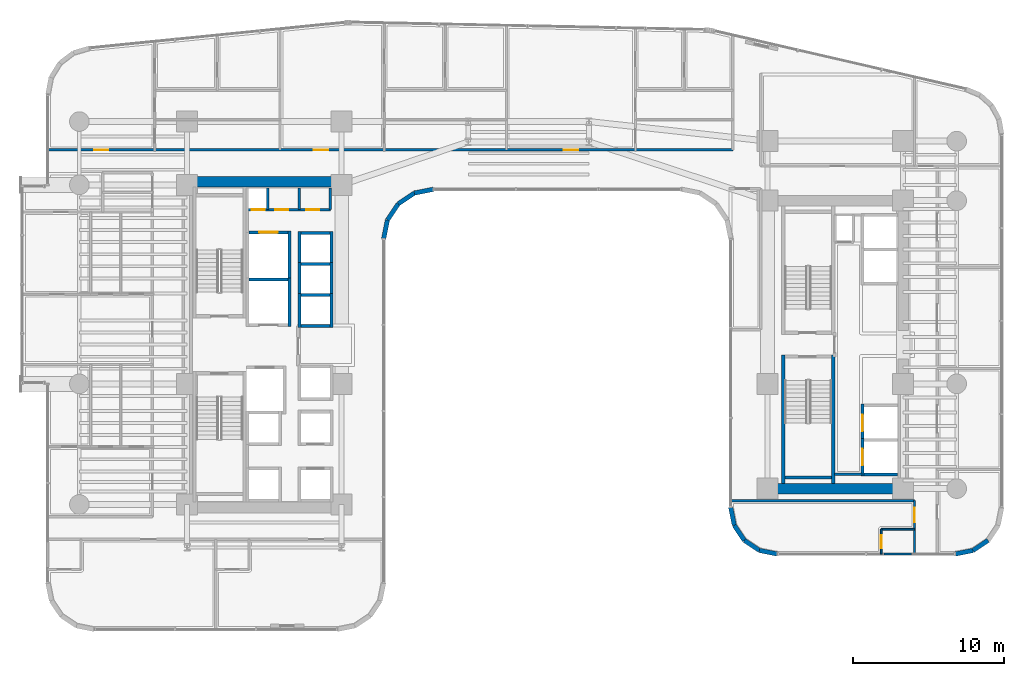
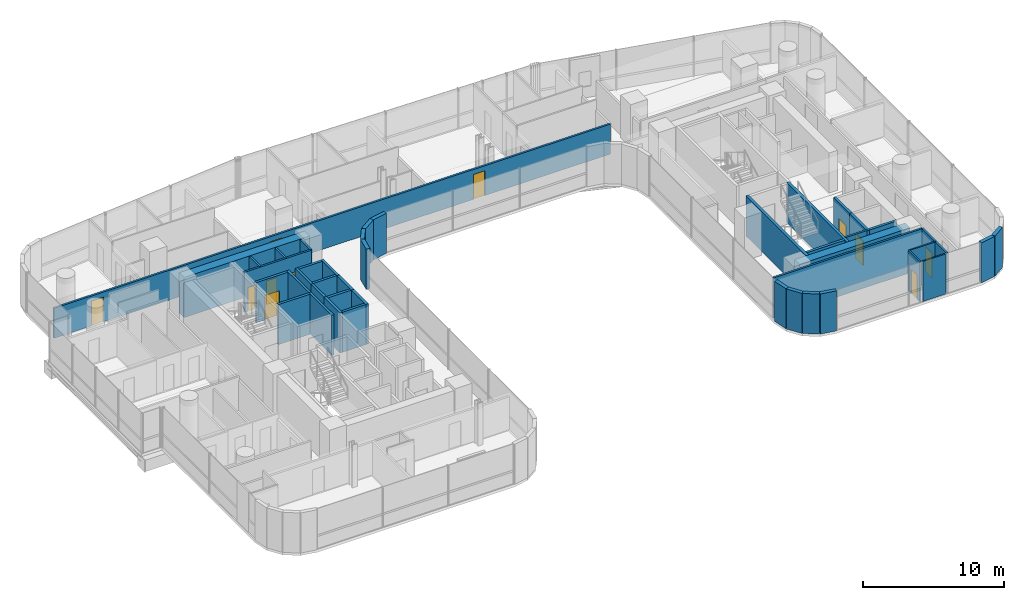
# One storey, part 31 of 40: 43 walls, 11 doors, 11 openings.
"""IFC4 building model written with IfcOpenShell, lengths in metres."""

import ifcopenshell
import ifcopenshell.guid

model = None  # the IFC model being written
_history = None  # IfcOwnerHistory: only IFC2X3 demands one
_inside = {}  # id of a spatial element -> (the spatial element, [elements in it])
_under = {}  # id of a project, library or spatial element -> (it, [spatial elements below it])
_declared = {}  # id of a project -> (the project, [libraries it declares])
_typed = {}  # id of a type object -> (the type object, [elements of that type])
_made_of = {}  # id of a material, layer set ... -> (it, [elements and type objects made of it])


def new_model(schema):
    """Start an empty IFC model of exactly this schema.

    Asked for "IFC4X3", IfcOpenShell would pick the latest addendum, in which some entities
    have other attributes; the version numbers below select the first issue.
    IFC2X3 requires an IfcOwnerHistory on every rooted entity: one is made here for all.
    """
    global model, _history
    if schema == "IFC4X3":
        model = ifcopenshell.file(schema_version=(4, 3, 0, 0))
    else:
        model = ifcopenshell.file(schema=schema)
    _inside.clear()
    _under.clear()
    _declared.clear()
    _typed.clear()
    _made_of.clear()
    _history = None
    if model.schema == "IFC2X3":
        org = make("IfcOrganization", Name="unknown")
        user = make(
            "IfcPersonAndOrganization",
            ThePerson=make("IfcPerson", FamilyName="unknown"),
            TheOrganization=org,
        )
        app = make(
            "IfcApplication",
            ApplicationDeveloper=org,
            Version="unknown",
            ApplicationFullName="unknown",
            ApplicationIdentifier="unknown",
        )
        _history = make(
            "IfcOwnerHistory",
            OwningUser=user,
            OwningApplication=app,
            ChangeAction="ADDED",
            CreationDate=0,
        )
    return model


def make(cls, **values):
    """One entity of the class cls with the attributes given. An attribute that is None is left unset."""
    return model.create_entity(
        cls, **{name: value for name, value in values.items() if value is not None}
    )


def rooted(cls, **values):
    """An entity with a GlobalId (a new one), such as an element, a storey or a relation."""
    return make(cls, GlobalId=ifcopenshell.guid.new(), OwnerHistory=_history, **values)


def si_unit(unit_type, name, prefix=None):
    """IfcSIUnit, for example si_unit("LENGTHUNIT", "METRE", prefix="MILLI")."""
    return make("IfcSIUnit", UnitType=unit_type, Prefix=prefix, Name=name)


def assignment(units):
    """IfcUnitAssignment: the units of a project."""
    return None if units is None else make("IfcUnitAssignment", Units=units)


def point(xyz):
    """IfcCartesianPoint."""
    return None if xyz is None else make("IfcCartesianPoint", Coordinates=xyz)


def direction(xyz):
    """IfcDirection."""
    return None if xyz is None else make("IfcDirection", DirectionRatios=xyz)


def frame(location, z_axis=None, x_axis=None):
    """IfcAxis2Placement3D, a coordinate frame: its origin and axes. An axis left out is left unset."""
    return make(
        "IfcAxis2Placement3D",
        Location=point(location),
        Axis=direction(z_axis),
        RefDirection=direction(x_axis),
    )


def frame_2d(location, x_axis=None):
    """IfcAxis2Placement2D, a coordinate frame in the plane: its origin and x axis."""
    return make(
        "IfcAxis2Placement2D", Location=point(location), RefDirection=direction(x_axis)
    )


def origin():
    """The frame at (0, 0, 0) with its axes left unset."""
    return frame((0.0, 0.0, 0.0))


def place(relative_to, where):
    """IfcLocalPlacement: puts the frame where relative to a parent placement (None: the world)."""
    return make(
        "IfcLocalPlacement", PlacementRelTo=relative_to, RelativePlacement=where
    )


def context(
    kind, dimensions, precision=None, world=None, true_north=None, identifier=None
):
    """IfcGeometricRepresentationContext, for example the 3D "Model" context."""
    return make(
        "IfcGeometricRepresentationContext",
        ContextIdentifier=identifier,
        ContextType=kind,
        CoordinateSpaceDimension=dimensions,
        Precision=precision,
        WorldCoordinateSystem=world,
        TrueNorth=true_north,
    )


def subcontext(parent, identifier, kind, view, scale=None):
    """IfcGeometricRepresentationSubContext, for example "Body" below "Model"."""
    return make(
        "IfcGeometricRepresentationSubContext",
        ContextIdentifier=identifier,
        ContextType=kind,
        ParentContext=parent,
        TargetScale=scale,
        TargetView=view,
    )


def project(units=None, contexts=None):
    """IfcProject with its units and contexts."""
    return rooted(
        "IfcProject",
        Name="project",
        RepresentationContexts=contexts,
        UnitsInContext=assignment(units),
    )


def spatial(cls, under=None, at=None, **own):
    """A site, building, storey or space (cls), placed at a placement, below another one or the project."""
    s = rooted(cls, ObjectPlacement=at, **own)
    if under is not None:
        _under.setdefault(under.id(), (under, []))[1].append(s)
    return s


def profile(cls, at=None, kind="AREA", **sizes):
    """A parametric profile (cls). Its sizes go by their IFC names, for example OverallWidth=200.0."""
    return make(cls, ProfileType=kind, Position=at, **sizes)


def rectangle(**sizes):
    """IfcRectangleProfileDef."""
    return profile("IfcRectangleProfileDef", **sizes)


def extrude(swept, where, along, depth):
    """IfcExtrudedAreaSolid: the profile swept, set in the frame where, extruded along a direction by depth."""
    return make(
        "IfcExtrudedAreaSolid",
        SweptArea=swept,
        Position=where,
        ExtrudedDirection=direction(along),
        Depth=depth,
    )


def shape(context_of_items, identifier, shape_type, items):
    """IfcShapeRepresentation: the items that make up one representation, for example the "Body"."""
    return make(
        "IfcShapeRepresentation",
        ContextOfItems=context_of_items,
        RepresentationIdentifier=identifier,
        RepresentationType=shape_type,
        Items=items,
    )


def material(Name=None, Category=None):
    """IfcMaterial."""
    return make("IfcMaterial", Name=Name, Category=Category)


def layer(
    of_material, thickness, ventilated=None, Name=None, Category=None, Priority=None
):
    """IfcMaterialLayer: one layer of a wall or slab, of a material (None: an air gap)."""
    return make(
        "IfcMaterialLayer",
        Material=of_material,
        LayerThickness=thickness,
        IsVentilated=ventilated,
        Name=Name,
        Category=Category,
        Priority=Priority,
    )


def layer_set(layers, Name=None):
    """IfcMaterialLayerSet."""
    return make("IfcMaterialLayerSet", MaterialLayers=layers, LayerSetName=Name)


def made_of(thing, what):
    """Note that an element or type object is made of a material, layer set ...; save() writes the relation."""
    if what is not None:
        _made_of.setdefault(what.id(), (what, []))[1].append(thing)
    return thing


def type_object(cls, material=None, **own):
    """A type object (cls), such as IfcWallType, which elements share."""
    return made_of(rooted(cls, **own), material)


def element(
    cls,
    number,
    at=None,
    inside=None,
    cuts=None,
    type_object=None,
    material=None,
    context=None,
    identifier="Body",
    shape_type=None,
    held_by="IfcProductDefinitionShape",
    body=None,
    shapes=None,
    **own,
):
    """One element of the class cls, such as IfcWall. Its Tag is "e" and its number.

    at: its placement. inside: the storey or other place that contains it. cuts: it is an
    opening in that element (IfcRelVoidsElement). A single representation is given by context,
    identifier, shape_type and body (its items); several are given by shapes. held_by: the class
    of the entity that holds the representations. save() writes the other relations.
    """
    e = rooted(cls, Tag="e%d" % number, ObjectPlacement=at, **own)
    if body is not None:
        shapes = [shape(context, identifier, shape_type, body)]
    if shapes is not None:
        e.Representation = make(held_by, Representations=shapes)
    if inside is not None:
        _inside.setdefault(inside.id(), (inside, []))[1].append(e)
    if cuts is not None:
        rooted(
            "IfcRelVoidsElement", RelatingBuildingElement=cuts, RelatedOpeningElement=e
        )
    if type_object is not None:
        _typed.setdefault(type_object.id(), (type_object, []))[1].append(e)
    return made_of(e, material)


def fill(opening, filler):
    """IfcRelFillsElement: the door or window that sits in an opening."""
    return rooted(
        "IfcRelFillsElement",
        RelatingOpeningElement=opening,
        RelatedBuildingElement=filler,
    )


def aggregate(whole, parts):
    """IfcRelAggregates: a whole, such as a stair, and the parts it consists of."""
    return rooted("IfcRelAggregates", RelatingObject=whole, RelatedObjects=parts)


def save(model, path):
    """Write the relations noted so far, then the file.

    IfcRelAggregates (storeys below a building ...), IfcRelContainedInSpatialStructure (elements
    in a storey), IfcRelDefinesByType, IfcRelAssociatesMaterial and IfcRelDeclares: one each for
    every whole, place, type object, material and project.
    """
    for whole, parts in _under.values():
        aggregate(whole, parts)
    for where, things in _inside.values():
        rooted(
            "IfcRelContainedInSpatialStructure",
            RelatedElements=things,
            RelatingStructure=where,
        )
    for kind, things in _typed.values():
        rooted("IfcRelDefinesByType", RelatedObjects=things, RelatingType=kind)
    for what, things in _made_of.values():
        rooted("IfcRelAssociatesMaterial", RelatedObjects=things, RelatingMaterial=what)
    for by, libraries in _declared.values():
        rooted("IfcRelDeclares", RelatingContext=by, RelatedDefinitions=libraries)
    model.write(path)


model = new_model("IFC4")

# Units and contexts
model_context = context("Model", 3, precision=1e-05, world=origin(), true_north=direction((0.0, 1.0)))
body_context = subcontext(model_context, "Body", "Model", "MODEL_VIEW")
ifc_project = project(units=[si_unit("LENGTHUNIT", "METRE"), si_unit("AREAUNIT", "SQUARE_METRE"), si_unit("VOLUMEUNIT", "CUBIC_METRE"), si_unit("PLANEANGLEUNIT", "RADIAN"), si_unit("MASSUNIT", "GRAM", prefix="KILO")], contexts=[model_context])

# Site, building, storey
site_placement = place(None, origin())
site = spatial("IfcSite", under=ifc_project, at=site_placement, CompositionType="ELEMENT")
building_placement = place(site_placement, origin())
building = spatial("IfcBuilding", under=site, at=building_placement, Name="Valdorenza Pilgrim Sanctuary Tower", CompositionType="ELEMENT")
storey_placement = place(building_placement, frame((0.0, 0.0, 40.800048828125)))
storey = spatial("IfcBuildingStorey", under=building, at=storey_placement, Name="L09", CompositionType="ELEMENT", Elevation=40.800048828125)

# Wall, openings, doors
ifc_material_1 = material(Name="Acoustic twin-stud gypsum partition", Category="gypsum")
ifc_layer_1 = layer(ifc_material_1, 0.159912109375, Name="Acoustic twin-stud gypsum partition")
ifc_layer_set_1 = layer_set([ifc_layer_1], Name="Acoustic twin-stud gypsum partition")
wall_type_1 = type_object("IfcWallType", Name="WAL-COR-160", PredefinedType="PARTITIONING", material=ifc_layer_set_1)
wall_1_placement = place(storey_placement, frame((-18.64990234375, 8.949951171875, 0.0), z_axis=(0.0, 0.0, 1.0), x_axis=(1.0, 0.0, 0.0)))
wall_1 = element("IfcWall", 1, at=wall_1_placement, inside=storey, type_object=wall_type_1, Name="L09 Core A North Service South Wall", PredefinedType="PARTITIONING", context=body_context, shape_type="SweptSolid", body=[
    extrude(rectangle(XDim=5.5, YDim=0.159912109375, at=frame_2d((2.75, 0.0))), origin(), (0.0, 0.0, 1.0), 3.4599609375),
])
opening_1_placement = place(wall_1_placement, frame((0.300048828125, 0.0, 0.0)))
opening_1 = element("IfcOpeningElement", 2, at=opening_1_placement, cuts=wall_1, Name="Opening DR-RS1", PredefinedType="OPENING", context=body_context, shape_type="SweptSolid", body=[
    extrude(rectangle(XDim=0.85009765625, YDim=2.050048828125, at=frame_2d((0.425048828125, 1.02490234375))), frame((0.0, 0.0947265625, 0.0), z_axis=(0.0, -1.0, 0.0), x_axis=(1.0, 0.0, 0.0)), (0.0, 0.0, 1.0), 0.189697265625),
])
opening_2_placement = place(wall_1_placement, frame((1.85009765625, 0.0, 0.0)))
opening_2 = element("IfcOpeningElement", 3, at=opening_2_placement, cuts=wall_1, Name="Opening DR-RS1", PredefinedType="OPENING", context=body_context, shape_type="SweptSolid", body=[
    extrude(rectangle(XDim=0.85009765625, YDim=2.050048828125, at=frame_2d((0.425048828125, 1.02490234375))), frame((0.0, 0.0947265625, 0.0), z_axis=(0.0, -1.0, 0.0), x_axis=(1.0, 0.0, 0.0)), (0.0, 0.0, 1.0), 0.189697265625),
])
opening_3_placement = place(wall_1_placement, frame((3.89990234375, 0.0, 0.0)))
opening_3 = element("IfcOpeningElement", 4, at=opening_3_placement, cuts=wall_1, Name="Opening DR-RS1", PredefinedType="OPENING", context=body_context, shape_type="SweptSolid", body=[
    extrude(rectangle(XDim=0.85009765625, YDim=2.050048828125, at=frame_2d((0.425048828125, 1.02490234375))), frame((0.0, 0.0947265625, 0.0), z_axis=(0.0, -1.0, 0.0), x_axis=(1.0, 0.0, 0.0)), (0.0, 0.0, 1.0), 0.189697265625),
])
ifc_material_2 = material(Name="Painted galvanized steel", Category="steel")
door_type_1 = type_object("IfcDoorType", Name="DR-RSR-850", OperationType="NOTDEFINED", PredefinedType="DOOR", material=ifc_material_2)
door_1_placement = place(opening_1_placement, origin())
door_1 = element("IfcDoor", 5, at=door_1_placement, inside=storey, type_object=door_type_1, Name="L09 Core Electrical and Telecom Riser Door", OperationType="SINGLE_SWING_LEFT", OverallHeight=2.050048828125, OverallWidth=0.85009765625, PredefinedType="DOOR", context=body_context, shape_type="SweptSolid", body=[
    extrude(rectangle(XDim=0.85009765625, YDim=2.050048828125, at=frame_2d((0.425048828125, 1.02490234375))), frame((0.0, 0.02490234375, 0.0), z_axis=(0.0, -1.0, 0.0), x_axis=(1.0, 0.0, 0.0)), (0.0, 0.0, 1.0), 0.050048828125),
])
fill(opening_1, door_1)
door_2_placement = place(opening_2_placement, origin())
door_2 = element("IfcDoor", 6, at=door_2_placement, inside=storey, type_object=door_type_1, Name="L09 Housekeeping and Clean Linen Room Door", OperationType="SINGLE_SWING_RIGHT", OverallHeight=2.050048828125, OverallWidth=0.85009765625, PredefinedType="DOOR", context=body_context, shape_type="SweptSolid", body=[
    extrude(rectangle(XDim=0.85009765625, YDim=2.050048828125, at=frame_2d((0.425048828125, 1.02490234375))), frame((0.0, 0.02490234375, 0.0), z_axis=(0.0, -1.0, 0.0), x_axis=(1.0, 0.0, 0.0)), (0.0, 0.0, 1.0), 0.050048828125),
])
fill(opening_2, door_2)
door_3_placement = place(opening_3_placement, origin())
door_3 = element("IfcDoor", 7, at=door_3_placement, inside=storey, type_object=door_type_1, Name="L09 Guest Ice and Vending Pantry Door", OperationType="SINGLE_SWING_LEFT", OverallHeight=2.050048828125, OverallWidth=0.85009765625, PredefinedType="DOOR", context=body_context, shape_type="SweptSolid", body=[
    extrude(rectangle(XDim=0.85009765625, YDim=2.050048828125, at=frame_2d((0.425048828125, 1.02490234375))), frame((0.0, 0.02490234375, 0.0), z_axis=(0.0, -1.0, 0.0), x_axis=(1.0, 0.0, 0.0)), (0.0, 0.0, 1.0), 0.050048828125),
])
fill(opening_3, door_3)

# Walls
for number, where, z_axis, x_axis, name in (
    (8, (-13.14990234375, 8.949951171875, 0.0), (0.0, 0.0, 1.0), (0.0, 1.0, 0.0), "L09 Core A North Service East Wall"),
    (9, (-17.300048828125, 8.949951171875, 0.0), (0.0, 0.0, 1.0), (0.0, 1.0, 0.0), "L09 Core Electrical Riser Wall"),
    (10, (-15.199951171875, 8.949951171875, 0.0), (0.0, 0.0, 1.0), (0.0, 1.0, 0.0), "L09 Core A Housekeeping Split B"),
):
    element("IfcWall", number, at=place(storey_placement, frame(where, z_axis=z_axis, x_axis=x_axis)), inside=storey, type_object=wall_type_1, Name=name, PredefinedType="PARTITIONING", context=body_context, shape_type="SweptSolid", body=[
        extrude(rectangle(XDim=1.429931640625, YDim=0.159912109375, at=frame_2d((0.71484375, 0.0))), origin(), (0.0, 0.0, 1.0), 3.4599609375),
    ])
wall_2_placement = place(storey_placement, frame((20.300048828125, -8.60009765625, 0.0), z_axis=(0.0, 0.0, 1.0), x_axis=(1.0, 0.0, 0.0)))
element("IfcWall", 11, at=wall_2_placement, inside=storey, type_object=wall_type_1, Name="L09 Core B Lift Hall South End Wall", PredefinedType="PARTITIONING", context=body_context, shape_type="SweptSolid", body=[
    extrude(rectangle(XDim=1.820068359375, YDim=0.159912109375, at=frame_2d((0.91015625, 0.0))), origin(), (0.0, 0.0, 1.0), 3.4599609375),
])

# Wall, openings, doors
wall_3_placement = place(storey_placement, frame((-31.889892578125, 12.919921875, 0.0), z_axis=(0.0, 0.0, 1.0), x_axis=(1.0, 0.0, 0.0)))
wall_3 = element("IfcWall", 12, at=wall_3_placement, inside=storey, type_object=wall_type_1, Name="L09 North Corridor Wall", PredefinedType="PARTITIONING", context=body_context, shape_type="SweptSolid", body=[
    extrude(rectangle(XDim=45.43994140625, YDim=0.159912109375, at=frame_2d((22.719970703125, 0.0))), origin(), (0.0, 0.0, 1.0), 2.5830078125),
])
opening_4_placement = place(wall_3_placement, frame((3.069091796875, 0.0, 0.0)))
opening_4 = element("IfcOpeningElement", 13, at=opening_4_placement, cuts=wall_3, Name="Opening DR-UN1", PredefinedType="OPENING", context=body_context, shape_type="SweptSolid", body=[
    extrude(rectangle(XDim=0.949951171875, YDim=2.14990234375, at=frame_2d((0.47509765625, 1.074951171875))), frame((0.0, 0.0947265625, 0.0), z_axis=(0.0, -1.0, 0.0), x_axis=(1.0, 0.0, 0.0)), (0.0, 0.0, 1.0), 0.189697265625),
])
opening_5_placement = place(wall_3_placement, frame((17.64697265625, 0.0, 0.0)))
opening_5 = element("IfcOpeningElement", 14, at=opening_5_placement, cuts=wall_3, Name="Opening DR-UN1", PredefinedType="OPENING", context=body_context, shape_type="SweptSolid", body=[
    extrude(rectangle(XDim=0.949951171875, YDim=2.14990234375, at=frame_2d((0.47509765625, 1.074951171875))), frame((0.0, 0.0947265625, 0.0), z_axis=(0.0, -1.0, 0.0), x_axis=(1.0, 0.0, 0.0)), (0.0, 0.0, 1.0), 0.189697265625),
])
opening_6_placement = place(wall_3_placement, frame((34.22705078125, 0.0, 0.0)))
opening_6 = element("IfcOpeningElement", 15, at=opening_6_placement, cuts=wall_3, Name="Opening DR-UN1", PredefinedType="OPENING", context=body_context, shape_type="SweptSolid", body=[
    extrude(rectangle(XDim=0.949951171875, YDim=2.14990234375, at=frame_2d((0.47509765625, 1.074951171875))), frame((0.0, 0.0947265625, 0.0), z_axis=(0.0, -1.0, 0.0), x_axis=(1.0, 0.0, 0.0)), (0.0, 0.0, 1.0), 0.189697265625),
])
ifc_material_3 = material(Name="Solid-core European oak timber", Category="wood")
door_type_2 = type_object("IfcDoorType", Name="DR-UNIT-950", OperationType="NOTDEFINED", PredefinedType="DOOR", material=ifc_material_3)
door_4_placement = place(opening_4_placement, frame((0.949951171875, 0.0, 0.0), z_axis=(0.0, 0.0, 1.0), x_axis=(-1.0, 0.0, 0.0)))
door_4 = element("IfcDoor", 16, at=door_4_placement, inside=storey, type_object=door_type_2, Name="L09 North Family Flat L09-N1 Entrance Door", OperationType="SINGLE_SWING_LEFT", OverallHeight=2.14990234375, OverallWidth=0.949951171875, PredefinedType="DOOR", context=body_context, shape_type="SweptSolid", body=[
    extrude(rectangle(XDim=0.949951171875, YDim=2.14990234375, at=frame_2d((0.47509765625, 1.074951171875))), frame((0.0, 0.02490234375, 0.0), z_axis=(0.0, -1.0, 0.0), x_axis=(1.0, 0.0, 0.0)), (0.0, 0.0, 1.0), 0.050048828125),
])
fill(opening_4, door_4)
door_5_placement = place(opening_5_placement, origin())
door_5 = element("IfcDoor", 17, at=door_5_placement, inside=storey, type_object=door_type_2, Name="L09 North Family Flat L09-N2 Entrance Door", OperationType="SINGLE_SWING_RIGHT", OverallHeight=2.14990234375, OverallWidth=0.949951171875, PredefinedType="DOOR", context=body_context, shape_type="SweptSolid", body=[
    extrude(rectangle(XDim=0.949951171875, YDim=2.14990234375, at=frame_2d((0.47509765625, 1.074951171875))), frame((0.0, 0.02490234375, 0.0), z_axis=(0.0, -1.0, 0.0), x_axis=(1.0, 0.0, 0.0)), (0.0, 0.0, 1.0), 0.050048828125),
])
fill(opening_5, door_5)
door_6_placement = place(opening_6_placement, frame((0.949951171875, 0.0, 0.0), z_axis=(0.0, 0.0, 1.0), x_axis=(-1.0, 0.0, 0.0)))
door_6 = element("IfcDoor", 18, at=door_6_placement, inside=storey, type_object=door_type_2, Name="L09 North Family Flat L09-N3 Entrance Door", OperationType="SINGLE_SWING_LEFT", OverallHeight=2.14990234375, OverallWidth=0.949951171875, PredefinedType="DOOR", context=body_context, shape_type="SweptSolid", body=[
    extrude(rectangle(XDim=0.949951171875, YDim=2.14990234375, at=frame_2d((0.47509765625, 1.074951171875))), frame((0.0, 0.02490234375, 0.0), z_axis=(0.0, -1.0, 0.0), x_axis=(1.0, 0.0, 0.0)), (0.0, 0.0, 1.0), 0.050048828125),
])
fill(opening_6, door_6)

# Wall, opening, door
wall_4_placement = place(storey_placement, frame((25.60009765625, -13.889892578125, 0.0), z_axis=(0.0, 0.0, 1.0), x_axis=(0.0, 1.0, 0.0)))
wall_4 = element("IfcWall", 19, at=wall_4_placement, inside=storey, type_object=wall_type_1, Name="L09 Wing B South-East Corridor Wall", PredefinedType="PARTITIONING", context=body_context, shape_type="SweptSolid", body=[
    extrude(rectangle(XDim=3.539794921875, YDim=0.159912109375, at=frame_2d((1.77001953125, 0.0))), origin(), (0.0, 0.0, 1.0), 3.4599609375),
])
opening_7_placement = place(wall_4_placement, frame((2.1201171875, 0.0, 0.0)))
opening_7 = element("IfcOpeningElement", 20, at=opening_7_placement, cuts=wall_4, Name="Opening DR-UN1", PredefinedType="OPENING", context=body_context, shape_type="SweptSolid", body=[
    extrude(rectangle(XDim=0.949951171875, YDim=2.14990234375, at=frame_2d((0.47509765625, 1.074951171875))), frame((0.0, 0.0947265625, 0.0), z_axis=(0.0, -1.0, 0.0), x_axis=(1.0, 0.0, 0.0)), (0.0, 0.0, 1.0), 0.189697265625),
])
door_7_placement = place(opening_7_placement, frame((0.949951171875, 0.0, 0.0), z_axis=(0.0, 0.0, 1.0), x_axis=(-1.0, 0.0, 0.0)))
door_7 = element("IfcDoor", 21, at=door_7_placement, inside=storey, type_object=door_type_2, Name="L09 East South Guest Room L09-ES1 Entrance Door", OperationType="SINGLE_SWING_LEFT", OverallHeight=2.14990234375, OverallWidth=0.949951171875, PredefinedType="DOOR", context=body_context, shape_type="SweptSolid", body=[
    extrude(rectangle(XDim=0.949951171875, YDim=2.14990234375, at=frame_2d((0.47509765625, 1.074951171875))), frame((0.0, 0.02490234375, 0.0), z_axis=(0.0, -1.0, 0.0), x_axis=(1.0, 0.0, 0.0)), (0.0, 0.0, 1.0), 0.050048828125),
])
fill(opening_7, door_7)

# Walls
wall_5_placement = place(storey_placement, frame((13.409912109375, -10.35009765625, 0.0), z_axis=(0.0, 0.0, 1.0), x_axis=(1.0, 0.0, 0.0)))
element("IfcWall", 22, at=wall_5_placement, inside=storey, type_object=wall_type_1, Name="L09 Wing B South North Wall", PredefinedType="PARTITIONING", context=body_context, shape_type="SweptSolid", body=[
    extrude(rectangle(XDim=12.190185546875, YDim=0.159912109375, at=frame_2d((6.09521484375, 0.0))), origin(), (0.0, 0.0, 1.0), 3.4599609375),
])
ifc_material_4 = material(Name="Concrete C60/75", Category="concrete")
ifc_layer_2 = layer(ifc_material_4, 0.699951171875, Name="Concrete C60/75")
ifc_layer_set_2 = layer_set([ifc_layer_2], Name="Concrete C60/75")
wall_type_2 = type_object("IfcWallType", Name="WAL-COR-700", PredefinedType="SHEAR", material=ifc_layer_set_2)
wall_6_placement = place(storey_placement, frame((-22.64990234375, 10.800048828125, 0.0), z_axis=(0.0, 0.0, 1.0), x_axis=(1.0, 0.0, 0.0)))
element("IfcWall", 23, at=wall_6_placement, inside=storey, type_object=wall_type_2, Name="L09 Split Core A Shear Wall N", PredefinedType="SHEAR", context=body_context, shape_type="SweptSolid", body=[
    extrude(rectangle(XDim=10.25, YDim=0.699951171875, at=frame_2d((5.125, 0.0))), origin(), (0.0, 0.0, 1.0), 3.4599609375),
])
wall_7_placement = place(storey_placement, frame((15.85009765625, -9.550048828125, 0.0), z_axis=(0.0, 0.0, 1.0), x_axis=(1.0, 0.0, 0.0)))
element("IfcWall", 24, at=wall_7_placement, inside=storey, type_object=wall_type_2, Name="L09 Split Core B Shear Wall S", PredefinedType="SHEAR", context=body_context, shape_type="SweptSolid", body=[
    extrude(rectangle(XDim=9.0, YDim=0.699951171875, at=frame_2d((4.5, 0.0))), origin(), (0.0, 0.0, 1.0), 3.4599609375),
])
ifc_material_5 = material(Name="Honed travertine limestone", Category="masonry")
ifc_layer_3 = layer(ifc_material_5, 0.300048828125, Name="Honed travertine limestone")
ifc_layer_set_3 = layer_set([ifc_layer_3], Name="Honed travertine limestone")
wall_type_3 = type_object("IfcWallType", Name="WAL-EXT-300", PredefinedType="SOLIDWALL", material=ifc_layer_set_3)
wall_8_placement = place(storey_placement, frame((30.4833984375, -12.9833984375, 0.0), z_axis=(0.0, 0.0, 1.0), x_axis=(-0.831426265255, -0.555635100982, 0.0)))
element("IfcWall", 25, at=wall_8_placement, inside=storey, type_object=wall_type_3, Name="L09 Rounded Wind-Corner Stone Pier 24", PredefinedType="SOLIDWALL", context=body_context, shape_type="SweptSolid", body=[
    extrude(rectangle(XDim=1.204833984375, YDim=0.300048828125, at=frame_2d((0.6025390625, 0.0))), origin(), (0.0, 0.0, 1.0), 3.4599609375),
])
for number, where, z_axis, x_axis, name in (
    (26, (29.481689453125, -13.65283203125, 0.0), (0.0, 0.0, 1.0), (-0.980804027463, -0.194996050505, 0.0), "L09 Rounded Wind-Corner Stone Pier 25"),
    (27, (16.5107421875, -13.889892578125, 0.0), (0.0, 0.0, 1.0), (-0.980804027463, 0.194996050505, 0.0), "L09 Rounded Wind-Corner Stone Pier 27"),
):
    element("IfcWall", number, at=place(storey_placement, frame(where, z_axis=z_axis, x_axis=x_axis)), inside=storey, type_object=wall_type_3, Name=name, PredefinedType="SOLIDWALL", context=body_context, shape_type="SweptSolid", body=[
        extrude(rectangle(XDim=1.2158203125, YDim=0.300048828125, at=frame_2d((0.60791015625, 0.0))), origin(), (0.0, 0.0, 1.0), 3.4599609375),
    ])
for number, where, z_axis, x_axis, name in (
    (28, (15.318359375, -13.65283203125, 0.0), (0.0, 0.0, 1.0), (-0.831426265255, 0.555635100982, 0.0), "L09 Rounded Wind-Corner Stone Pier 28"),
    (29, (14.316650390625, -12.9833984375, 0.0), (0.0, 0.0, 1.0), (-0.555635100982, 0.831426265255, 0.0), "L09 Rounded Wind-Corner Stone Pier 29"),
):
    element("IfcWall", number, at=place(storey_placement, frame(where, z_axis=z_axis, x_axis=x_axis)), inside=storey, type_object=wall_type_3, Name=name, PredefinedType="SOLIDWALL", context=body_context, shape_type="SweptSolid", body=[
        extrude(rectangle(XDim=1.204833984375, YDim=0.300048828125, at=frame_2d((0.6025390625, 0.0))), origin(), (0.0, 0.0, 1.0), 3.4599609375),
    ])
wall_9_placement = place(storey_placement, frame((13.647216796875, -11.981689453125, 0.0), z_axis=(0.0, 0.0, 1.0), x_axis=(-0.195189223115, 0.980765602568, 0.0)))
element("IfcWall", 30, at=wall_9_placement, inside=storey, type_object=wall_type_3, Name="L09 Rounded Wind-Corner Stone Pier 30", PredefinedType="SOLIDWALL", context=body_context, shape_type="SweptSolid", body=[
    extrude(rectangle(XDim=1.2158203125, YDim=0.300048828125, at=frame_2d((0.60791015625, 0.0))), origin(), (0.0, 0.0, 1.0), 3.4599609375),
])
wall_10_placement = place(storey_placement, frame((-6.310791015625, 10.31005859375, 0.0), z_axis=(0.0, 0.0, 1.0), x_axis=(-0.980778058848, -0.195126623715, 0.0)))
element("IfcWall", 31, at=wall_10_placement, inside=storey, type_object=wall_type_3, Name="L09 Rounded Wind-Corner Stone Pier 37", PredefinedType="SOLIDWALL", context=body_context, shape_type="SweptSolid", body=[
    extrude(rectangle(XDim=1.28125, YDim=0.300048828125, at=frame_2d((0.640625, 0.0))), origin(), (0.0, 0.0, 1.0), 3.4599609375),
])
wall_11_placement = place(storey_placement, frame((-7.5673828125, 10.06005859375, 0.0), z_axis=(0.0, 0.0, 1.0), x_axis=(-0.831497739511, -0.555528135371, 0.0)))
element("IfcWall", 32, at=wall_11_placement, inside=storey, type_object=wall_type_3, Name="L09 Rounded Wind-Corner Stone Pier 38", PredefinedType="SOLIDWALL", context=body_context, shape_type="SweptSolid", body=[
    extrude(rectangle(XDim=1.29248046875, YDim=0.300048828125, at=frame_2d((0.646240234375, 0.0))), origin(), (0.0, 0.0, 1.0), 3.4599609375),
])
wall_12_placement = place(storey_placement, frame((-8.64208984375, 9.342041015625, 0.0), z_axis=(0.0, 0.0, 1.0), x_axis=(-0.555615398575, -0.831439431869, 0.0)))
element("IfcWall", 33, at=wall_12_placement, inside=storey, type_object=wall_type_3, Name="L09 Rounded Wind-Corner Stone Pier 39", PredefinedType="SOLIDWALL", context=body_context, shape_type="SweptSolid", body=[
    extrude(rectangle(XDim=1.292236328125, YDim=0.300048828125, at=frame_2d((0.64599609375, 0.0))), origin(), (0.0, 0.0, 1.0), 3.4599609375),
])
wall_13_placement = place(storey_placement, frame((-9.360107421875, 8.267578125, 0.0), z_axis=(0.0, 0.0, 1.0), x_axis=(-0.195090163074, -0.980785312019, 0.0)))
element("IfcWall", 34, at=wall_13_placement, inside=storey, type_object=wall_type_3, Name="L09 Rounded Wind-Corner Stone Pier 40", PredefinedType="SOLIDWALL", context=body_context, shape_type="SweptSolid", body=[
    extrude(rectangle(XDim=1.281494140625, YDim=0.300048828125, at=frame_2d((0.640625, 0.0))), origin(), (0.0, 0.0, 1.0), 3.4599609375),
])
ifc_material_6 = material(Name="Moisture-resistant gypsum partition", Category="gypsum")
ifc_layer_4 = layer(ifc_material_6, 0.1201171875, Name="Moisture-resistant gypsum partition")
ifc_layer_set_4 = layer_set([ifc_layer_4], Name="Moisture-resistant gypsum partition")
wall_type_4 = type_object("IfcWallType", Name="WAL-INT-120", PredefinedType="PARTITIONING", material=ifc_layer_set_4)
wall_14_placement = place(storey_placement, frame((23.39990234375, -12.239990234375, 0.0), z_axis=(0.0, 0.0, 1.0), x_axis=(1.0, 0.0, 0.0)))
element("IfcWall", 35, at=wall_14_placement, inside=storey, type_object=wall_type_4, Name="L09 East South Guest Room L09-ES1 En-suite North Wall", PredefinedType="PARTITIONING", context=body_context, shape_type="SweptSolid", body=[
    extrude(rectangle(XDim=2.2001953125, YDim=0.1201171875, at=frame_2d((1.10009765625, 0.0))), origin(), (0.0, 0.0, 1.0), 3.4599609375),
])

# Wall, opening, door
wall_15_placement = place(storey_placement, frame((23.39990234375, -13.889892578125, 0.0), z_axis=(0.0, 0.0, 1.0), x_axis=(0.0, 1.0, 0.0)))
wall_15 = element("IfcWall", 36, at=wall_15_placement, inside=storey, type_object=wall_type_4, Name="L09 East South Guest Room L09-ES1 En-suite Door Wall", PredefinedType="PARTITIONING", context=body_context, shape_type="SweptSolid", body=[
    extrude(rectangle(XDim=1.64990234375, YDim=0.1201171875, at=frame_2d((0.824951171875, 0.0))), origin(), (0.0, 0.0, 1.0), 3.4599609375),
])
opening_8_placement = place(wall_15_placement, frame((0.39990234375, 0.0, 0.0)))
opening_8 = element("IfcOpeningElement", 37, at=opening_8_placement, cuts=wall_15, Name="Opening DR-WC1", PredefinedType="OPENING", context=body_context, shape_type="SweptSolid", body=[
    extrude(rectangle(XDim=0.85009765625, YDim=2.10009765625, at=frame_2d((0.425048828125, 1.050048828125))), frame((0.0, 0.074951171875, 0.0), z_axis=(0.0, -1.0, 0.0), x_axis=(1.0, 0.0, 0.0)), (0.0, 0.0, 1.0), 0.14990234375),
])
ifc_material_7 = material(Name="Moisture-resistant lacquered timber", Category="wood")
door_type_3 = type_object("IfcDoorType", Name="DR-BATH-850", OperationType="NOTDEFINED", PredefinedType="DOOR", material=ifc_material_7)
door_8_placement = place(opening_8_placement, origin())
door_8 = element("IfcDoor", 38, at=door_8_placement, inside=storey, type_object=door_type_3, Name="L09 East South Guest Room L09-ES1 En-suite Bathroom Door", OperationType="SINGLE_SWING_RIGHT", OverallHeight=2.10009765625, OverallWidth=0.85009765625, PredefinedType="DOOR", context=body_context, shape_type="SweptSolid", body=[
    extrude(rectangle(XDim=0.85009765625, YDim=2.10009765625, at=frame_2d((0.425048828125, 1.050048828125))), frame((0.0, 0.02490234375, 0.0), z_axis=(0.0, -1.0, 0.0), x_axis=(1.0, 0.0, 0.0)), (0.0, 0.0, 1.0), 0.050048828125),
])
fill(opening_8, door_8)

# Walls
wall_16_placement = place(storey_placement, frame((23.580078125, -13.889892578125, 0.0), z_axis=(0.0, 0.0, 1.0), x_axis=(1.0, 0.0, 0.0)))
element("IfcWall", 39, at=wall_16_placement, inside=storey, type_object=wall_type_4, Name="L09 WB-SG1-ENS Enclosure Wall S", PredefinedType="PARTITIONING", context=body_context, shape_type="SweptSolid", body=[
    extrude(rectangle(XDim=1.81982421875, YDim=0.1201171875, at=frame_2d((0.909912109375, 0.0))), origin(), (0.0, 0.0, 1.0), 3.4599609375),
])
ifc_material_8 = material(Name="Autoclaved aerated concrete blockwork", Category="masonry")
ifc_layer_5 = layer(ifc_material_8, 0.199951171875, Name="Autoclaved aerated concrete blockwork")
ifc_layer_set_5 = layer_set([ifc_layer_5], Name="Autoclaved aerated concrete blockwork")
wall_type_5 = type_object("IfcWallType", Name="WAL-SHF-200", PredefinedType="MOVABLE", material=ifc_layer_set_5)
wall_17_placement = place(storey_placement, frame((-15.85009765625, 1.199951171875, 0.0), z_axis=(0.0, 0.0, 1.0), x_axis=(0.0, 1.0, 0.0)))
element("IfcWall", 40, at=wall_17_placement, inside=storey, type_object=wall_type_5, Name="L09 Lift FFL-01 Hoistway Wall East", PredefinedType="MOVABLE", context=body_context, shape_type="SweptSolid", body=[
    extrude(rectangle(XDim=3.22509765625, YDim=0.199951171875, at=frame_2d((1.612548828125, 0.0))), origin(), (0.0, 0.0, 1.0), 3.4599609375),
])
wall_18_placement = place(storey_placement, frame((-18.550048828125, 4.324951171875, 0.0), z_axis=(0.0, 0.0, 1.0), x_axis=(1.0, 0.0, 0.0)))
element("IfcWall", 41, at=wall_18_placement, inside=storey, type_object=wall_type_5, Name="L09 Lift FFL-01 Hoistway Wall North", PredefinedType="MOVABLE", context=body_context, shape_type="SweptSolid", body=[
    extrude(rectangle(XDim=2.60009765625, YDim=0.199951171875, at=frame_2d((1.300048828125, 0.0))), origin(), (0.0, 0.0, 1.0), 3.4599609375),
])
wall_19_placement = place(storey_placement, frame((-15.85009765625, 4.22509765625, 0.0), z_axis=(0.0, 0.0, 1.0), x_axis=(0.0, 1.0, 0.0)))
element("IfcWall", 42, at=wall_19_placement, inside=storey, type_object=wall_type_5, Name="L09 Lift SVL-01 Hoistway Wall East", PredefinedType="MOVABLE", context=body_context, shape_type="SweptSolid", body=[
    extrude(rectangle(XDim=3.324951171875, YDim=0.199951171875, at=frame_2d((1.66259765625, 0.0))), origin(), (0.0, 0.0, 1.0), 3.4599609375),
])

# Wall, opening, door
wall_20_placement = place(storey_placement, frame((-18.550048828125, 7.449951171875, 0.0), z_axis=(0.0, 0.0, 1.0), x_axis=(1.0, 0.0, 0.0)))
wall_20 = element("IfcWall", 43, at=wall_20_placement, inside=storey, type_object=wall_type_5, Name="L09 Lift SVL-01 Hoistway Wall North", PredefinedType="MOVABLE", context=body_context, shape_type="SweptSolid", body=[
    extrude(rectangle(XDim=2.60009765625, YDim=0.199951171875, at=frame_2d((1.300048828125, 0.0))), origin(), (0.0, 0.0, 1.0), 3.4599609375),
])
opening_9_placement = place(wall_20_placement, frame((0.699951171875, 0.0, 0.0)))
opening_9 = element("IfcOpeningElement", 44, at=opening_9_placement, cuts=wall_20, Name="Opening LD-02", PredefinedType="OPENING", context=body_context, shape_type="SweptSolid", body=[
    extrude(rectangle(XDim=1.199951171875, YDim=2.10009765625, at=frame_2d((0.60009765625, 1.050048828125))), frame((0.0, 0.11474609375, 0.0), z_axis=(0.0, -1.0, 0.0), x_axis=(1.0, 0.0, 0.0)), (0.0, 0.0, 1.0), 0.229736328125),
])
ifc_material_9 = material(Name="Brushed stainless steel Grade 316", Category="steel")
door_type_4 = type_object("IfcDoorType", Name="DR-LFT-1200", OperationType="DOUBLE_DOOR_SLIDING", PredefinedType="DOOR", material=ifc_material_9)
door_9_placement = place(opening_9_placement, origin())
door_9 = element("IfcDoor", 45, at=door_9_placement, inside=storey, type_object=door_type_4, Name="L09 Lift SVL-01 Sliding Landing Door", OperationType="DOUBLE_DOOR_SLIDING", OverallHeight=2.10009765625, OverallWidth=1.199951171875, PredefinedType="DOOR", context=body_context, shape_type="SweptSolid", body=[
    extrude(rectangle(XDim=1.199951171875, YDim=2.10009765625, at=frame_2d((0.60009765625, 1.050048828125))), frame((0.0, 0.02490234375, 0.0), z_axis=(0.0, -1.0, 0.0), x_axis=(1.0, 0.0, 0.0)), (0.0, 0.0, 1.0), 0.050048828125),
])
fill(opening_9, door_9)

wall_21_placement = place(storey_placement, frame((22.14990234375, -8.699951171875, 0.0), z_axis=(0.0, 0.0, 1.0), x_axis=(0.0, 1.0, 0.0)))
wall_21 = element("IfcWall", 46, at=wall_21_placement, inside=storey, type_object=wall_type_5, Name="L09 Lift PL-03 Hoistway Wall West", PredefinedType="MOVABLE", context=body_context, shape_type="SweptSolid", body=[
    extrude(rectangle(XDim=2.474853515625, YDim=0.199951171875, at=frame_2d((1.2373046875, 0.0))), origin(), (0.0, 0.0, 1.0), 3.4599609375),
])
opening_10_placement = place(wall_21_placement, frame((0.6875, 0.0, 0.0)))
opening_10 = element("IfcOpeningElement", 47, at=opening_10_placement, cuts=wall_21, Name="Opening LD-01", PredefinedType="OPENING", context=body_context, shape_type="SweptSolid", body=[
    extrude(rectangle(XDim=1.10009765625, YDim=2.10009765625, at=frame_2d((0.550048828125, 1.050048828125))), frame((0.0, 0.11474609375, 0.0), z_axis=(0.0, -1.0, 0.0), x_axis=(1.0, 0.0, 0.0)), (0.0, 0.0, 1.0), 0.229736328125),
])
door_type_5 = type_object("IfcDoorType", Name="DR-LFT-1100", OperationType="DOUBLE_DOOR_SLIDING", PredefinedType="DOOR", material=ifc_material_9)
door_10_placement = place(opening_10_placement, origin())
door_10 = element("IfcDoor", 48, at=door_10_placement, inside=storey, type_object=door_type_5, Name="L09 Lift PL-03 Sliding Landing Door", OperationType="DOUBLE_DOOR_SLIDING", OverallHeight=2.10009765625, OverallWidth=1.10009765625, PredefinedType="DOOR", context=body_context, shape_type="SweptSolid", body=[
    extrude(rectangle(XDim=1.10009765625, YDim=2.10009765625, at=frame_2d((0.550048828125, 1.050048828125))), frame((0.0, 0.02490234375, 0.0), z_axis=(0.0, -1.0, 0.0), x_axis=(1.0, 0.0, 0.0)), (0.0, 0.0, 1.0), 0.050048828125),
])
fill(opening_10, door_10)

# Wall
wall_22_placement = place(storey_placement, frame((22.25, -8.60009765625, 0.0), z_axis=(0.0, 0.0, 1.0), x_axis=(1.0, 0.0, 0.0)))
element("IfcWall", 49, at=wall_22_placement, inside=storey, type_object=wall_type_5, Name="L09 Lift PL-03 Hoistway Wall South", PredefinedType="MOVABLE", context=body_context, shape_type="SweptSolid", body=[
    extrude(rectangle(XDim=2.22998046875, YDim=0.199951171875, at=frame_2d((1.114990234375, 0.0))), origin(), (0.0, 0.0, 1.0), 3.4599609375),
])

# Wall, opening, door
wall_23_placement = place(storey_placement, frame((22.14990234375, -6.425048828125, 0.0), z_axis=(0.0, 0.0, 1.0), x_axis=(0.0, 1.0, 0.0)))
wall_23 = element("IfcWall", 50, at=wall_23_placement, inside=storey, type_object=wall_type_5, Name="L09 Lift PL-04 Hoistway Wall West", PredefinedType="MOVABLE", context=body_context, shape_type="SweptSolid", body=[
    extrude(rectangle(XDim=2.47509765625, YDim=0.199951171875, at=frame_2d((1.237548828125, 0.0))), origin(), (0.0, 0.0, 1.0), 3.4599609375),
])
opening_11_placement = place(wall_23_placement, frame((0.6875, 0.0, 0.0)))
opening_11 = element("IfcOpeningElement", 51, at=opening_11_placement, cuts=wall_23, Name="Opening LD-01", PredefinedType="OPENING", context=body_context, shape_type="SweptSolid", body=[
    extrude(rectangle(XDim=1.10009765625, YDim=2.10009765625, at=frame_2d((0.550048828125, 1.050048828125))), frame((0.0, 0.11474609375, 0.0), z_axis=(0.0, -1.0, 0.0), x_axis=(1.0, 0.0, 0.0)), (0.0, 0.0, 1.0), 0.229736328125),
])
door_11_placement = place(opening_11_placement, origin())
door_11 = element("IfcDoor", 52, at=door_11_placement, inside=storey, type_object=door_type_5, Name="L09 Lift PL-04 Sliding Landing Door", OperationType="DOUBLE_DOOR_SLIDING", OverallHeight=2.10009765625, OverallWidth=1.10009765625, PredefinedType="DOOR", context=body_context, shape_type="SweptSolid", body=[
    extrude(rectangle(XDim=1.10009765625, YDim=2.10009765625, at=frame_2d((0.550048828125, 1.050048828125))), frame((0.0, 0.02490234375, 0.0), z_axis=(0.0, -1.0, 0.0), x_axis=(1.0, 0.0, 0.0)), (0.0, 0.0, 1.0), 0.050048828125),
])
fill(opening_11, door_11)

# Walls
for number, where, z_axis, x_axis, name in (
    (53, (-15.199951171875, 1.14990234375, 0.0), (0.0, 0.0, 1.0), (0.0, 1.0, 0.0), "L09 Lift PL-06 Hoistway Wall West"),
    (54, (-13.080078125, 1.14990234375, 0.0), (0.0, 0.0, 1.0), (0.0, 1.0, 0.0), "L09 Lift PL-06 Hoistway Wall East"),
):
    element("IfcWall", number, at=place(storey_placement, frame(where, z_axis=z_axis, x_axis=x_axis)), inside=storey, type_object=wall_type_5, Name=name, PredefinedType="MOVABLE", context=body_context, shape_type="SweptSolid", body=[
        extrude(rectangle(XDim=2.25, YDim=0.199951171875, at=frame_2d((1.125, 0.0))), origin(), (0.0, 0.0, 1.0), 3.4599609375),
    ])
wall_24_placement = place(storey_placement, frame((-15.10009765625, 1.25, 0.0), z_axis=(0.0, 0.0, 1.0), x_axis=(1.0, 0.0, 0.0)))
element("IfcWall", 55, at=wall_24_placement, inside=storey, type_object=wall_type_5, Name="L09 Lift PL-06 Hoistway Wall South", PredefinedType="MOVABLE", context=body_context, shape_type="SweptSolid", body=[
    extrude(rectangle(XDim=1.920166015625, YDim=0.199951171875, at=frame_2d((0.9599609375, 0.0))), origin(), (0.0, 0.0, 1.0), 3.4599609375),
])
for number, where, z_axis, x_axis, name in (
    (56, (-15.199951171875, 3.199951171875, 0.0), (0.0, 0.0, 1.0), (0.0, 1.0, 0.0), "L09 Lift PL-09 Hoistway Wall West"),
    (57, (-13.080078125, 3.199951171875, 0.0), (0.0, 0.0, 1.0), (0.0, 1.0, 0.0), "L09 Lift PL-09 Hoistway Wall East"),
):
    element("IfcWall", number, at=place(storey_placement, frame(where, z_axis=z_axis, x_axis=x_axis)), inside=storey, type_object=wall_type_5, Name=name, PredefinedType="MOVABLE", context=body_context, shape_type="SweptSolid", body=[
        extrude(rectangle(XDim=2.25, YDim=0.199951171875, at=frame_2d((1.125, 0.0))), origin(), (0.0, 0.0, 1.0), 3.4599609375),
    ])
for number, where, z_axis, x_axis, name in (
    (58, (-15.10009765625, 3.300048828125, 0.0), (0.0, 0.0, 1.0), (1.0, 0.0, 0.0), "L09 Lift PL-09 Hoistway Wall South"),
    (59, (-15.10009765625, 5.35009765625, 0.0), (0.0, 0.0, 1.0), (1.0, 0.0, 0.0), "L09 Lift PL-09 Hoistway Wall North"),
):
    element("IfcWall", number, at=place(storey_placement, frame(where, z_axis=z_axis, x_axis=x_axis)), inside=storey, type_object=wall_type_5, Name=name, PredefinedType="MOVABLE", context=body_context, shape_type="SweptSolid", body=[
        extrude(rectangle(XDim=1.920166015625, YDim=0.199951171875, at=frame_2d((0.9599609375, 0.0))), origin(), (0.0, 0.0, 1.0), 3.4599609375),
    ])
for number, where, z_axis, x_axis, name in (
    (60, (-15.199951171875, 5.25, 0.0), (0.0, 0.0, 1.0), (0.0, 1.0, 0.0), "L09 Lift PL-10 Hoistway Wall West"),
    (61, (-13.080078125, 5.25, 0.0), (0.0, 0.0, 1.0), (0.0, 1.0, 0.0), "L09 Lift PL-10 Hoistway Wall East"),
):
    element("IfcWall", number, at=place(storey_placement, frame(where, z_axis=z_axis, x_axis=x_axis)), inside=storey, type_object=wall_type_5, Name=name, PredefinedType="MOVABLE", context=body_context, shape_type="SweptSolid", body=[
        extrude(rectangle(XDim=2.25, YDim=0.199951171875, at=frame_2d((1.125, 0.0))), origin(), (0.0, 0.0, 1.0), 3.4599609375),
    ])
wall_25_placement = place(storey_placement, frame((-15.10009765625, 7.39990234375, 0.0), z_axis=(0.0, 0.0, 1.0), x_axis=(1.0, 0.0, 0.0)))
element("IfcWall", 62, at=wall_25_placement, inside=storey, type_object=wall_type_5, Name="L09 Lift PL-10 Hoistway Wall North", PredefinedType="MOVABLE", context=body_context, shape_type="SweptSolid", body=[
    extrude(rectangle(XDim=1.920166015625, YDim=0.199951171875, at=frame_2d((0.9599609375, 0.0))), origin(), (0.0, 0.0, 1.0), 3.4599609375),
])
ifc_material_10 = material(Name="Concrete C40/50", Category="concrete")
ifc_layer_6 = layer(ifc_material_10, 0.219970703125, Name="Concrete C40/50")
ifc_layer_set_6 = layer_set([ifc_layer_6], Name="Concrete C40/50")
wall_type_6 = type_object("IfcWallType", Name="WAL-STR-SHF-220", PredefinedType="SHEAR", material=ifc_layer_set_6)
for number, where, z_axis, x_axis, name in (
    (63, (16.889892578125, -9.199951171875, 0.0), (0.0, 0.0, 1.0), (0.0, 1.0, 0.0), "L09 ST-B2 Structural Stairwell Wall W"),
    (64, (20.219970703125, -9.199951171875, 0.0), (0.0, 0.0, 1.0), (0.0, 1.0, 0.0), "L09 ST-B2 Structural Stairwell Wall E"),
):
    element("IfcWall", number, at=place(storey_placement, frame(where, z_axis=z_axis, x_axis=x_axis)), inside=storey, type_object=wall_type_6, Name=name, PredefinedType="SHEAR", context=body_context, shape_type="SweptSolid", body=[
        extrude(rectangle(XDim=8.52001953125, YDim=0.219970703125, at=frame_2d((4.260009765625, 0.0))), origin(), (0.0, 0.0, 1.0), 3.4599609375),
    ])
wall_26_placement = place(storey_placement, frame((17.0, -8.81005859375, 0.0), z_axis=(0.0, 0.0, 1.0), x_axis=(1.0, 0.0, 0.0)))
element("IfcWall", 65, at=wall_26_placement, inside=storey, type_object=wall_type_6, Name="L09 ST-B2 Structural Stairwell Wall S", PredefinedType="SHEAR", context=body_context, shape_type="SweptSolid", body=[
    extrude(rectangle(XDim=3.110107421875, YDim=0.219970703125, at=frame_2d((1.55517578125, 0.0))), origin(), (0.0, 0.0, 1.0), 3.4599609375),
])

save(model, "model.ifc")
